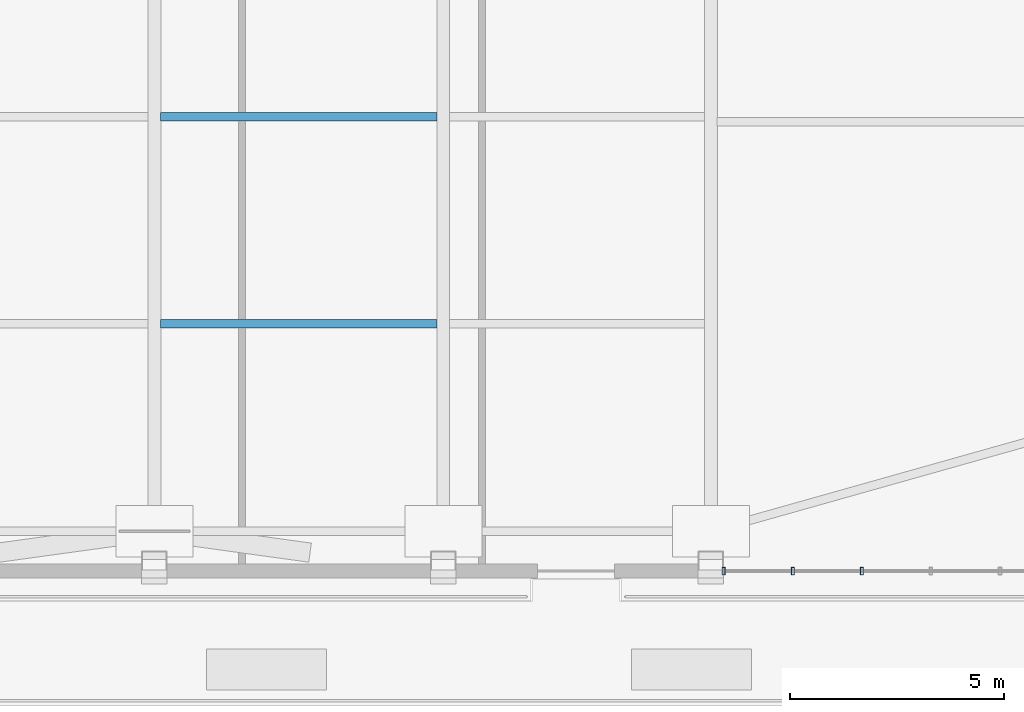
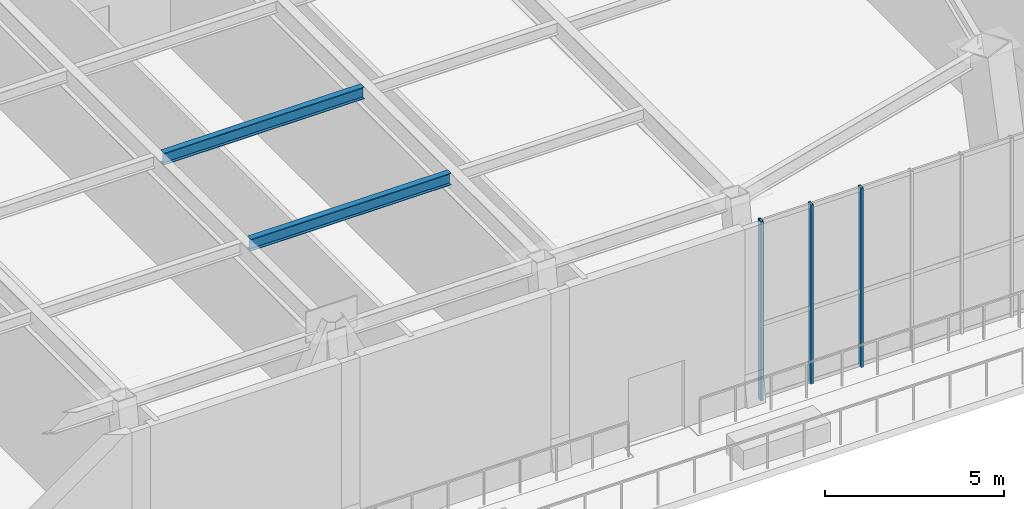
# One storey, part 4 of 16: 3 members, 2 beams, 1 element without a shape of its own.
"""IFC4 building model written with IfcOpenShell, lengths in metres."""

from ifc_helpers import new_model, si_unit, direction, frame, origin, origin_2d, place, context, subcontext, project, spatial, hollow_rectangle, i_section, extrude, source, transform, mapped, material, layer, layer_set, material_profile, profile_set, type_object, element, aggregate, save


model = new_model("IFC4")

# Units and contexts
model_context = context("Model", 3, precision=1e-05, world=origin(), true_north=direction((0.0, 1.0)))
body_context = subcontext(model_context, "Body", "Model", "MODEL_VIEW")
ifc_project = project(units=[si_unit("LENGTHUNIT", "METRE"), si_unit("AREAUNIT", "SQUARE_METRE"), si_unit("VOLUMEUNIT", "CUBIC_METRE"), si_unit("PLANEANGLEUNIT", "RADIAN"), si_unit("MASSUNIT", "GRAM", prefix="KILO")], contexts=[model_context])

# Site, building, storey
site_placement = place(None, origin())
site = spatial("IfcSite", under=ifc_project, at=site_placement, CompositionType="ELEMENT")
building_placement = place(site_placement, origin())
building = spatial("IfcBuilding", under=site, at=building_placement, Name="Giltprow Tower", CompositionType="ELEMENT")
storey_placement = place(building_placement, frame((0.0, 0.0, 220.199951171875)))
storey = spatial("IfcBuildingStorey", under=building, at=storey_placement, Name="L56", CompositionType="ELEMENT", Elevation=220.199951171875)

# Beams
ifc_material_1 = material(Name="Structural steel Q355B", Category="steel")
ifc_material_profile_1 = material_profile(ifc_material_1, i_section(OverallWidth=0.199951171875, OverallDepth=0.39990234375, WebThickness=0.008056640625, FlangeThickness=0.012939453125, at=origin_2d()), Name="HN 400x200x8x13")
ifc_profile_set_1 = profile_set([ifc_material_profile_1], Name="Structural steel Q355B")
beam_type = type_object("IfcBeamType", Name="BM-JOIST-HN400", PredefinedType="JOIST", material=ifc_profile_set_1)
shared_shape_1 = source(origin(), body_context, "Body", "SweptSolid", [
    extrude(i_section(OverallWidth=0.199951171875, OverallDepth=0.39990234375, WebThickness=0.008056640625, FlangeThickness=0.012939453125, at=origin_2d()), origin(), (0.0, 0.0, 1.0), 6.4599609375),
])
for number, where, z_axis, x_axis, name in (
    (1, (37.695068359375, 18.090087890625, 6.385009765625), (1.0, 0.0, 0.0), (0.0, 1.0, 0.0), "L56 Composite Floor Joist 1-3"),
    (2, (37.695068359375, 22.929931640625, 6.385009765625), (1.0, 0.0, 0.0), (0.0, 1.0, 0.0), "L56 Composite Floor Joist 2-3"),
):
    element("IfcBeam", number, at=place(storey_placement, frame(where, z_axis=z_axis, x_axis=x_axis)), inside=storey, type_object=beam_type, Name=name, PredefinedType="JOIST", context=body_context, shape_type="MappedRepresentation", body=[
        mapped(shared_shape_1, transform((0.0, 0.0, 0.0), x_axis=(1.0, 0.0, 0.0), y_axis=(0.0, 1.0, 0.0), z_axis=(0.0, 0.0, 1.0), scale=1.0)),
    ])

# Curtain wall, members
ifc_material_2 = material(Name="Anodized bronze", Category="metal")
ifc_layer = layer(ifc_material_2, 0.179931640625, Name="Anodized bronze")
ifc_layer_set = layer_set([ifc_layer], Name="Anodized bronze")
curtain_wall_type = type_object("IfcCurtainWallType", Name="CW-SKYGARDEN", PredefinedType="NOTDEFINED", material=ifc_layer_set)
curtain_wall_placement = place(storey_placement, origin())
curtain_wall = element("IfcCurtainWall", 3, at=curtain_wall_placement, inside=storey, type_object=curtain_wall_type, Name="L56 South Recessed Curtain Wall 6", PredefinedType="NOTDEFINED")
ifc_material_profile_2 = material_profile(ifc_material_2, hollow_rectangle(XDim=0.074951171875, YDim=0.179931640625, WallThickness=0.008056640625, at=origin_2d()), Name="RHS 180x75x8")
ifc_profile_set_2 = profile_set([ifc_material_profile_2], Name="Anodized bronze")
member_type = type_object("IfcMemberType", Name="CW-MULLION-180x75", PredefinedType="MULLION", material=ifc_profile_set_2)
shared_shape_2 = source(origin(), body_context, "Body", "SweptSolid", [
    extrude(hollow_rectangle(XDim=0.074951171875, YDim=0.179931640625, WallThickness=0.008056640625, at=origin_2d()), origin(), (0.0, 0.0, 1.0), 6.1201171875),
])
member_1_placement = place(storey_placement, frame((50.85009765625, 12.318115234375, -0.02001953125), z_axis=(0.0, 0.0, 1.0), x_axis=(1.0, 0.0, 0.0)))
member_1 = element("IfcMember", 4, at=member_1_placement, type_object=member_type, Name="L56 South Recessed Curtain Wall 6 Mullion 1", PredefinedType="MULLION", context=body_context, shape_type="MappedRepresentation", body=[
    mapped(shared_shape_2, transform((0.0, 0.0, 0.0), x_axis=(1.0, 0.0, 0.0), y_axis=(0.0, 1.0, 0.0), z_axis=(0.0, 0.0, 1.0), scale=1.0)),
])
member_2_placement = place(storey_placement, frame((52.462890625, 12.318115234375, -0.02001953125), z_axis=(0.0, 0.0, 1.0), x_axis=(1.0, 0.0, 0.0)))
member_2 = element("IfcMember", 5, at=member_2_placement, type_object=member_type, Name="L56 South Recessed Curtain Wall 6 Mullion 2", PredefinedType="MULLION", context=body_context, shape_type="MappedRepresentation", body=[
    mapped(shared_shape_2, transform((0.0, 0.0, 0.0), x_axis=(1.0, 0.0, 0.0), y_axis=(0.0, 1.0, 0.0), z_axis=(0.0, 0.0, 1.0), scale=1.0)),
])
member_3_placement = place(storey_placement, frame((54.075927734375, 12.318115234375, -0.02001953125), z_axis=(0.0, 0.0, 1.0), x_axis=(1.0, 0.0, 0.0)))
member_3 = element("IfcMember", 6, at=member_3_placement, type_object=member_type, Name="L56 South Recessed Curtain Wall 6 Mullion 3", PredefinedType="MULLION", context=body_context, shape_type="MappedRepresentation", body=[
    mapped(shared_shape_2, transform((0.0, 0.0, 0.0), x_axis=(1.0, 0.0, 0.0), y_axis=(0.0, 1.0, 0.0), z_axis=(0.0, 0.0, 1.0), scale=1.0)),
])
aggregate(curtain_wall, [member_1, member_2, member_3])

save(model, "model.ifc")
